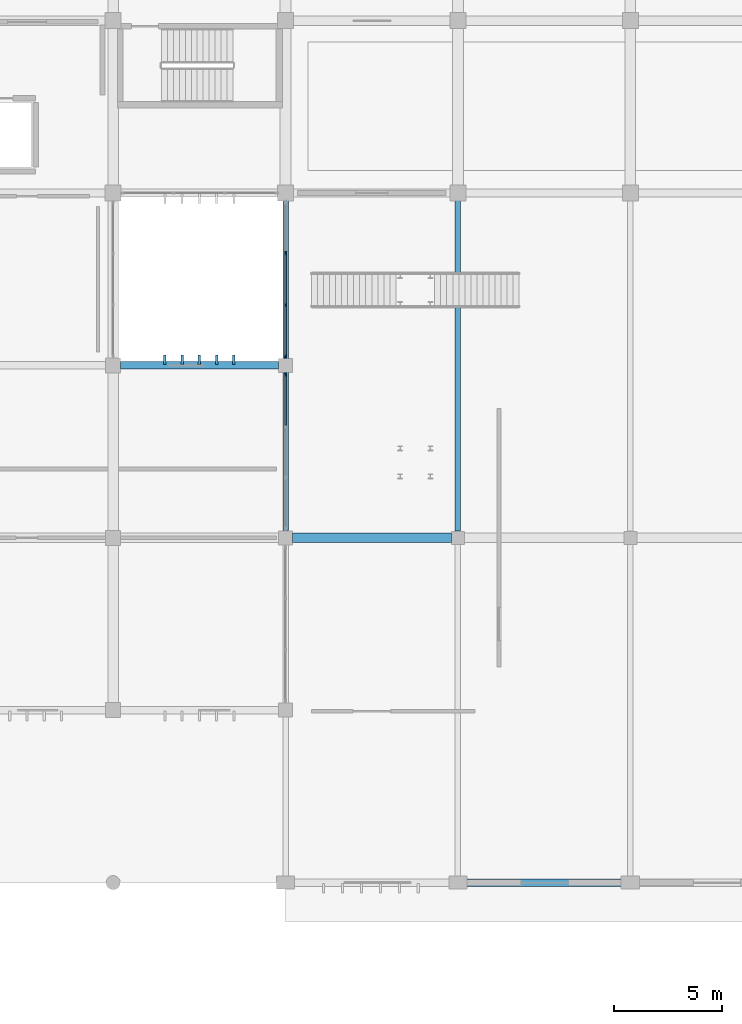
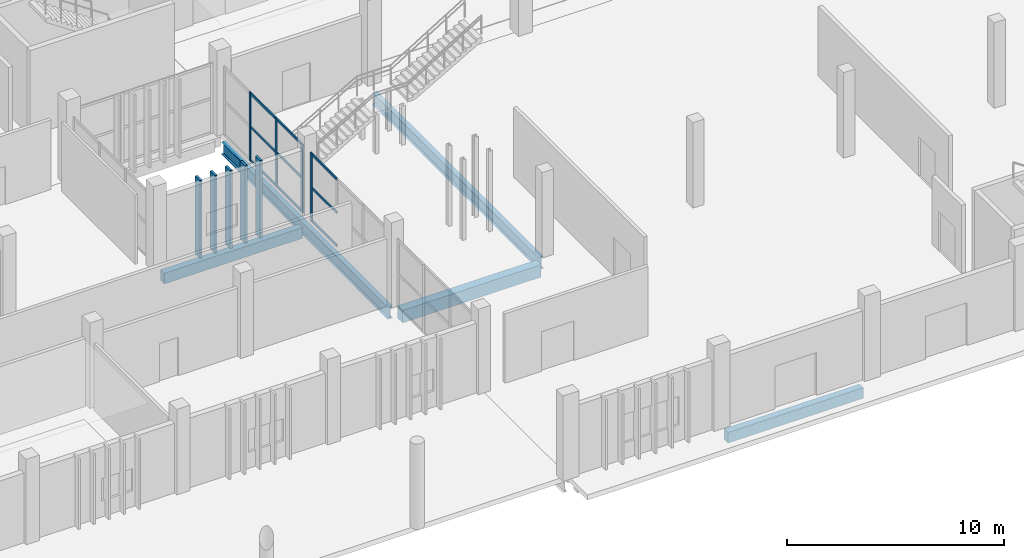
# One storey, part 59 of 117: 18 members, 5 beams, 2 elements without a shape of their own.
"""IFC4 building model written with IfcOpenShell, lengths in metres."""

from ifc_helpers import new_model, si_unit, direction, frame, origin, origin_2d, place, context, subcontext, project, spatial, rectangle, i_section, extrude, material, layer, layer_set, material_profile, profile_set, type_object, element, aggregate, save


model = new_model("IFC4")

# Units and contexts
model_context = context("Model", 3, precision=1e-05, world=origin(), true_north=direction((0.0, 1.0)))
body_context = subcontext(model_context, "Body", "Model", "MODEL_VIEW")
ifc_project = project(units=[si_unit("LENGTHUNIT", "METRE"), si_unit("AREAUNIT", "SQUARE_METRE"), si_unit("VOLUMEUNIT", "CUBIC_METRE"), si_unit("PLANEANGLEUNIT", "RADIAN"), si_unit("MASSUNIT", "GRAM", prefix="KILO")], contexts=[model_context])

# Site, building, storey
site_placement = place(None, origin())
site = spatial("IfcSite", under=ifc_project, at=site_placement, CompositionType="ELEMENT")
building_placement = place(site_placement, origin())
building = spatial("IfcBuilding", under=site, at=building_placement, Name="Jelvoka-Kovrelna Polytechnic", CompositionType="ELEMENT")
storey_placement = place(building_placement, origin())
storey = spatial("IfcBuildingStorey", under=building, at=storey_placement, Name="L01", CompositionType="ELEMENT", Elevation=0.0)

# Beams
ifc_material_1 = material(Name="Concrete C40/50", Category="concrete")
ifc_material_profile_1 = material_profile(ifc_material_1, rectangle(XDim=0.449951171875, YDim=0.699951171875, at=origin_2d()), Name="RC 450x700")
ifc_profile_set_1 = profile_set([ifc_material_profile_1], Name="Concrete C40/50")
beam_type_1 = type_object("IfcBeamType", Name="Beam_RC_450x700", PredefinedType="BEAM", material=ifc_profile_set_1)
beam_1_placement = place(storey_placement, frame((160.330078125, 16.0, -0.760009765625), z_axis=(1.0, 0.0, 0.0), x_axis=(0.0, 1.0, 0.0)))
element("IfcBeam", 1, at=beam_1_placement, inside=storey, type_object=beam_type_1, Name="L01 beam 0143", PredefinedType="BEAM", context=body_context, shape_type="SweptSolid", body=[
    extrude(rectangle(XDim=0.449951171875, YDim=0.699951171875, at=origin_2d()), origin(), (0.0, 0.0, 1.0), 7.364990234375),
])
ifc_material_2 = material(Name="Structural steel S355JR", Category="steel")
ifc_material_profile_2 = material_profile(ifc_material_2, i_section(OverallWidth=0.2529296875, OverallDepth=0.677978515625, WebThickness=0.01171875, FlangeThickness=0.01611328125, FilletRadius=0.01513671875, at=origin_2d()), Name="686x254x125 UB")
ifc_profile_set_2 = profile_set([ifc_material_profile_2], Name="Structural steel S355JR")
beam_type_2 = type_object("IfcBeamType", Name="Girder_Steel_UB686", PredefinedType="BEAM", material=ifc_profile_set_2)
beam_2_placement = place(storey_placement, frame((160.0, 16.330078125, -0.7490234375), z_axis=(0.0, 1.0, 0.0), x_axis=(-1.0, 0.0, 0.0)))
element("IfcBeam", 2, at=beam_2_placement, inside=storey, type_object=beam_type_2, Name="L01 beam 0131", PredefinedType="BEAM", context=body_context, shape_type="SweptSolid", body=[
    extrude(i_section(OverallWidth=0.2529296875, OverallDepth=0.677978515625, WebThickness=0.01171875, FlangeThickness=0.01611328125, FilletRadius=0.01513671875, at=origin_2d()), origin(), (0.0, 0.0, 1.0), 15.31494140625),
])
beam_3_placement = place(storey_placement, frame((168.0, 16.304931640625, -0.7490234375), z_axis=(0.0, 1.0, 0.0), x_axis=(-1.0, 0.0, 0.0)))
element("IfcBeam", 3, at=beam_3_placement, inside=storey, type_object=beam_type_2, Name="L01 beam 0133", PredefinedType="BEAM", context=body_context, shape_type="SweptSolid", body=[
    extrude(i_section(OverallWidth=0.2529296875, OverallDepth=0.677978515625, WebThickness=0.01171875, FlangeThickness=0.01611328125, FilletRadius=0.01513671875, at=origin_2d()), origin(), (0.0, 0.0, 1.0), 15.340087890625),
])

# Members
ifc_material_3 = material(Name="Precast concrete C40/50", Category="concrete")
ifc_material_profile_3 = material_profile(ifc_material_3, rectangle(XDim=0.1201171875, YDim=0.449951171875, at=origin_2d()), Name="PC 120x450")
ifc_profile_set_3 = profile_set([ifc_material_profile_3], Name="Precast concrete C40/50")
member_type_1 = type_object("IfcMemberType", Name="Louvre_Fin_120x450", PredefinedType="USERDEFINED", material=ifc_profile_set_3)
for number, where, z_axis, x_axis, name in (
    (4, (154.39990234375, 24.264892578125, -0.419921875), (0.0, 0.0, 1.0), (1.0, 0.0, 0.0), "L01 B1 north vertical solar louvre fin 0101"),
    (5, (155.199951171875, 24.264892578125, -0.419921875), (0.0, 0.0, 1.0), (1.0, 0.0, 0.0), "L01 B1 north vertical solar louvre fin 0102"),
    (6, (156.0, 24.264892578125, -0.419921875), (0.0, 0.0, 1.0), (1.0, 0.0, 0.0), "L01 B1 north vertical solar louvre fin 0103"),
    (7, (156.800048828125, 24.264892578125, -0.419921875), (0.0, 0.0, 1.0), (1.0, 0.0, 0.0), "L01 B1 north vertical solar louvre fin 0104"),
    (8, (157.60009765625, 24.264892578125, -0.419921875), (0.0, 0.0, 1.0), (1.0, 0.0, 0.0), "L01 B1 north vertical solar louvre fin 0105"),
):
    element("IfcMember", number, at=place(storey_placement, frame(where, z_axis=z_axis, x_axis=x_axis)), inside=storey, type_object=member_type_1, Name=name, ObjectType="SUNSHADE", PredefinedType="USERDEFINED", context=body_context, shape_type="SweptSolid", body=[
        extrude(rectangle(XDim=0.1201171875, YDim=0.449951171875, at=origin_2d()), origin(), (0.0, 0.0, 1.0), 4.3798828125),
    ])

# Curtain wall, member
ifc_material_4 = material(Name="Anodised aluminium 6063-T6", Category="aluminium")
ifc_layer = layer(ifc_material_4, 0.179931640625)
ifc_layer_set = layer_set([ifc_layer], Name="Anodised aluminium 6063-T6")
curtain_wall_type = type_object("IfcCurtainWallType", Name="CW_Pavilion", PredefinedType="NOTDEFINED", material=ifc_layer_set)
curtain_wall_1_placement = place(storey_placement, origin())
curtain_wall_1 = element("IfcCurtainWall", 9, at=curtain_wall_1_placement, inside=storey, type_object=curtain_wall_type, Name="L01 glazed curtain wall 273", PredefinedType="NOTDEFINED")
ifc_material_5 = material(Name="Anodised aluminium 6063-T6", Category="aluminium")
ifc_material_profile_4 = material_profile(ifc_material_5, rectangle(XDim=0.06494140625, YDim=0.179931640625, at=origin_2d()), Name="ALU 65x180")
ifc_profile_set_4 = profile_set([ifc_material_profile_4], Name="Anodised aluminium 6063-T6")
member_type_2 = type_object("IfcMemberType", Name="Mullion_M-05", PredefinedType="MULLION", material=ifc_profile_set_4)
member_1_placement = place(storey_placement, frame((160.0, 23.5673828125, -0.02490234375), z_axis=(0.0, 0.0, 1.0), x_axis=(-1.0, 0.0, 0.0)))
member_1 = element("IfcMember", 10, at=member_1_placement, type_object=member_type_2, Name="CW-05 mullion 4", PredefinedType="MULLION", context=body_context, shape_type="SweptSolid", body=[
    extrude(rectangle(XDim=0.06494140625, YDim=0.179931640625, at=origin_2d()), origin(), (0.0, 0.0, 1.0), 3.862060546875),
])

# Curtain wall, members
curtain_wall_2_placement = place(storey_placement, origin())
curtain_wall_2 = element("IfcCurtainWall", 11, at=curtain_wall_2_placement, inside=storey, type_object=curtain_wall_type, Name="L01 glazed curtain wall 274", PredefinedType="NOTDEFINED")
member_2_placement = place(storey_placement, frame((160.0, 24.4326171875, -0.02490234375), z_axis=(0.0, 0.0, 1.0), x_axis=(-1.0, 0.0, 0.0)))
member_2 = element("IfcMember", 12, at=member_2_placement, type_object=member_type_2, Name="CW-05 mullion 1", PredefinedType="MULLION", context=body_context, shape_type="SweptSolid", body=[
    extrude(rectangle(XDim=0.06494140625, YDim=0.179931640625, at=origin_2d()), origin(), (0.0, 0.0, 1.0), 3.862060546875),
])
member_3_placement = place(storey_placement, frame((160.0, 26.800048828125, -0.02490234375), z_axis=(0.0, 0.0, 1.0), x_axis=(-1.0, 0.0, 0.0)))
member_3 = element("IfcMember", 13, at=member_3_placement, type_object=member_type_2, Name="CW-05 mullion 2", PredefinedType="MULLION", context=body_context, shape_type="SweptSolid", body=[
    extrude(rectangle(XDim=0.06494140625, YDim=0.179931640625, at=origin_2d()), origin(), (0.0, 0.0, 1.0), 3.862060546875),
])
member_4_placement = place(storey_placement, frame((160.0, 29.199951171875, -0.02490234375), z_axis=(0.0, 0.0, 1.0), x_axis=(-1.0, 0.0, 0.0)))
member_4 = element("IfcMember", 14, at=member_4_placement, type_object=member_type_2, Name="CW-05 mullion 3", PredefinedType="MULLION", context=body_context, shape_type="SweptSolid", body=[
    extrude(rectangle(XDim=0.06494140625, YDim=0.179931640625, at=origin_2d()), origin(), (0.0, 0.0, 1.0), 3.862060546875),
])

# Beams
ifc_material_6 = material(Name="Concrete C40/50", Category="concrete")
ifc_material_profile_5 = material_profile(ifc_material_6, rectangle(XDim=0.35009765625, YDim=0.60009765625, at=origin_2d()), Name="RC 350x600")
ifc_profile_set_5 = profile_set([ifc_material_profile_5], Name="Concrete C40/50")
beam_type_3 = type_object("IfcBeamType", Name="Spandrel_RC_350x600", PredefinedType="SPANDREL", material=ifc_profile_set_5)
beam_4_placement = place(storey_placement, frame((168.405029296875, 0.0, -0.7099609375), z_axis=(1.0, 0.0, 0.0), x_axis=(0.0, 1.0, 0.0)))
element("IfcBeam", 15, at=beam_4_placement, inside=storey, type_object=beam_type_3, Name="L01 beam 0145", PredefinedType="SPANDREL", context=body_context, shape_type="SweptSolid", body=[
    extrude(rectangle(XDim=0.35009765625, YDim=0.60009765625, at=origin_2d()), origin(), (0.0, 0.0, 1.0), 7.18994140625),
])
beam_5_placement = place(storey_placement, frame((152.330078125, 24.0, -0.705078125), z_axis=(1.0, 0.0, 0.0), x_axis=(0.0, 1.0, 0.0)))
element("IfcBeam", 16, at=beam_5_placement, inside=storey, type_object=beam_type_3, Name="L01 beam 0355", PredefinedType="SPANDREL", context=body_context, shape_type="SweptSolid", body=[
    extrude(rectangle(XDim=0.35009765625, YDim=0.60009765625, at=origin_2d()), origin(), (0.0, 0.0, 1.0), 7.33984375),
])

# Member
ifc_material_7 = material(Name="Anodised aluminium 6063-T6", Category="aluminium")
ifc_material_profile_6 = material_profile(ifc_material_7, rectangle(XDim=0.06494140625, YDim=0.135009765625, at=origin_2d()), Name="ALU 65x135")
ifc_profile_set_6 = profile_set([ifc_material_profile_6], Name="Anodised aluminium 6063-T6")
member_type_3 = type_object("IfcMemberType", Name="Transom_T-05", PredefinedType="USERDEFINED", material=ifc_profile_set_6)
member_5_placement = place(storey_placement, frame((160.0, 21.232421875, 0.032470703125), z_axis=(0.0, 1.0, 0.0), x_axis=(-1.0, 0.0, 0.0)))
member_5 = element("IfcMember", 17, at=member_5_placement, type_object=member_type_3, Name="CW-05 transom 3.1", ObjectType="TRANSOM", PredefinedType="USERDEFINED", context=body_context, shape_type="SweptSolid", body=[
    extrude(rectangle(XDim=0.06494140625, YDim=0.135009765625, at=origin_2d()), origin(), (0.0, 0.0, 1.0), 2.302490234375),
])

member_6_placement = place(storey_placement, frame((160.0, 21.232421875, 1.906005859375), z_axis=(0.0, 1.0, 0.0), x_axis=(-1.0, 0.0, 0.0)))
member_6 = element("IfcMember", 18, at=member_6_placement, type_object=member_type_3, Name="CW-05 transom 3.2", ObjectType="TRANSOM", PredefinedType="USERDEFINED", context=body_context, shape_type="SweptSolid", body=[
    extrude(rectangle(XDim=0.06494140625, YDim=0.135009765625, at=origin_2d()), origin(), (0.0, 0.0, 1.0), 2.302490234375),
])

member_7_placement = place(storey_placement, frame((160.0, 21.232421875, 3.779541015625), z_axis=(0.0, 1.0, 0.0), x_axis=(-1.0, 0.0, 0.0)))
member_7 = element("IfcMember", 19, at=member_7_placement, type_object=member_type_3, Name="CW-05 transom 3.3", ObjectType="TRANSOM", PredefinedType="USERDEFINED", context=body_context, shape_type="SweptSolid", body=[
    extrude(rectangle(XDim=0.06494140625, YDim=0.135009765625, at=origin_2d()), origin(), (0.0, 0.0, 1.0), 2.302490234375),
])

aggregate(curtain_wall_1, [member_1, member_5, member_6, member_7])

member_8_placement = place(storey_placement, frame((160.0, 24.465087890625, 0.032470703125), z_axis=(0.0, 1.0, 0.0), x_axis=(-1.0, 0.0, 0.0)))
member_8 = element("IfcMember", 20, at=member_8_placement, type_object=member_type_3, Name="CW-05 transom 1.1", ObjectType="TRANSOM", PredefinedType="USERDEFINED", context=body_context, shape_type="SweptSolid", body=[
    extrude(rectangle(XDim=0.06494140625, YDim=0.135009765625, at=origin_2d()), origin(), (0.0, 0.0, 1.0), 2.302490234375),
])

member_9_placement = place(storey_placement, frame((160.0, 24.465087890625, 1.906005859375), z_axis=(0.0, 1.0, 0.0), x_axis=(-1.0, 0.0, 0.0)))
member_9 = element("IfcMember", 21, at=member_9_placement, type_object=member_type_3, Name="CW-05 transom 1.2", ObjectType="TRANSOM", PredefinedType="USERDEFINED", context=body_context, shape_type="SweptSolid", body=[
    extrude(rectangle(XDim=0.06494140625, YDim=0.135009765625, at=origin_2d()), origin(), (0.0, 0.0, 1.0), 2.302490234375),
])

member_10_placement = place(storey_placement, frame((160.0, 24.465087890625, 3.779541015625), z_axis=(0.0, 1.0, 0.0), x_axis=(-1.0, 0.0, 0.0)))
member_10 = element("IfcMember", 22, at=member_10_placement, type_object=member_type_3, Name="CW-05 transom 1.3", ObjectType="TRANSOM", PredefinedType="USERDEFINED", context=body_context, shape_type="SweptSolid", body=[
    extrude(rectangle(XDim=0.06494140625, YDim=0.135009765625, at=origin_2d()), origin(), (0.0, 0.0, 1.0), 2.302490234375),
])

member_11_placement = place(storey_placement, frame((160.0, 26.83251953125, 0.032470703125), z_axis=(0.0, 1.0, 0.0), x_axis=(-1.0, 0.0, 0.0)))
member_11 = element("IfcMember", 23, at=member_11_placement, type_object=member_type_3, Name="CW-05 transom 2.1", ObjectType="TRANSOM", PredefinedType="USERDEFINED", context=body_context, shape_type="SweptSolid", body=[
    extrude(rectangle(XDim=0.06494140625, YDim=0.135009765625, at=origin_2d()), origin(), (0.0, 0.0, 1.0), 2.3349609375),
])

member_12_placement = place(storey_placement, frame((160.0, 26.83251953125, 1.906005859375), z_axis=(0.0, 1.0, 0.0), x_axis=(-1.0, 0.0, 0.0)))
member_12 = element("IfcMember", 24, at=member_12_placement, type_object=member_type_3, Name="CW-05 transom 2.2", ObjectType="TRANSOM", PredefinedType="USERDEFINED", context=body_context, shape_type="SweptSolid", body=[
    extrude(rectangle(XDim=0.06494140625, YDim=0.135009765625, at=origin_2d()), origin(), (0.0, 0.0, 1.0), 2.3349609375),
])

member_13_placement = place(storey_placement, frame((160.0, 26.83251953125, 3.779541015625), z_axis=(0.0, 1.0, 0.0), x_axis=(-1.0, 0.0, 0.0)))
member_13 = element("IfcMember", 25, at=member_13_placement, type_object=member_type_3, Name="CW-05 transom 2.3", ObjectType="TRANSOM", PredefinedType="USERDEFINED", context=body_context, shape_type="SweptSolid", body=[
    extrude(rectangle(XDim=0.06494140625, YDim=0.135009765625, at=origin_2d()), origin(), (0.0, 0.0, 1.0), 2.3349609375),
])

aggregate(curtain_wall_2, [member_2, member_3, member_4, member_8, member_9, member_10, member_11, member_12, member_13])

save(model, "model.ifc")
